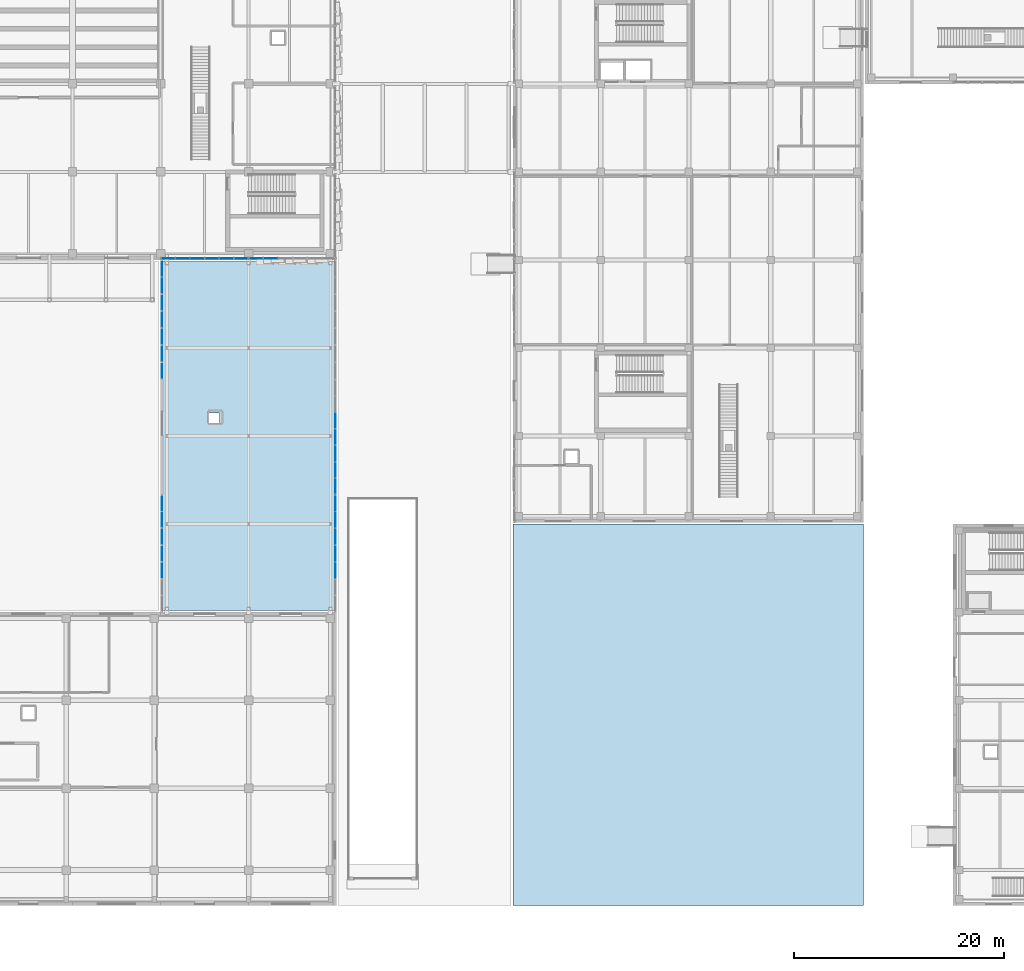
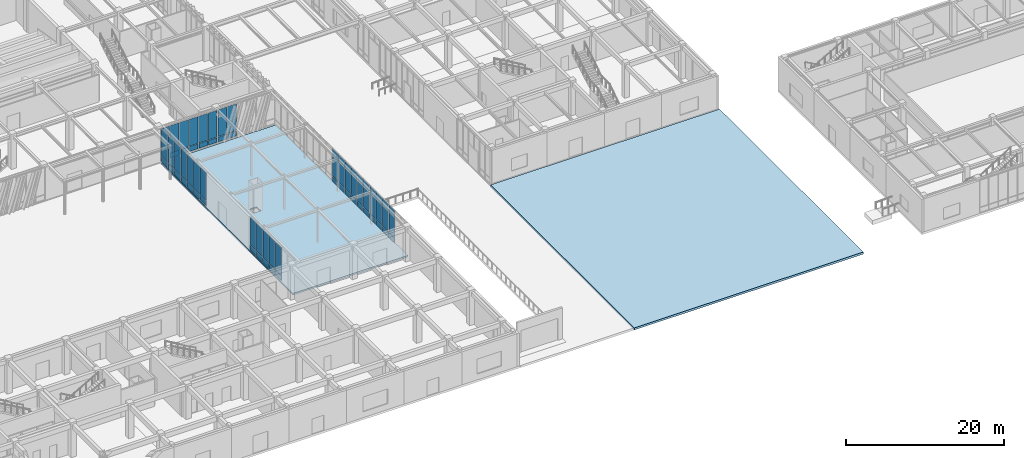
# One storey, part 79 of 122: 60 plates, 2 slabs, 6 elements without a shape of their own.
"""IFC4 building model written with IfcOpenShell, lengths in metres."""

from ifc_helpers import new_model, si_unit, direction, frame, origin, origin_2d, place, context, subcontext, project, spatial, polyline, rectangle, outline, extrude, material, layer, layer_set, type_object, element, aggregate, save


model = new_model("IFC4")

# Units and contexts
model_context = context("Model", 3, precision=1e-05, world=origin(), true_north=direction((0.0, 1.0)))
body_context = subcontext(model_context, "Body", "Model", "MODEL_VIEW")
ifc_project = project(units=[si_unit("LENGTHUNIT", "METRE"), si_unit("AREAUNIT", "SQUARE_METRE"), si_unit("VOLUMEUNIT", "CUBIC_METRE"), si_unit("PLANEANGLEUNIT", "RADIAN"), si_unit("MASSUNIT", "GRAM", prefix="KILO")], contexts=[model_context])

# Site, building, storey
site_placement = place(None, origin())
site = spatial("IfcSite", under=ifc_project, at=site_placement, CompositionType="ELEMENT")
building_placement = place(site_placement, origin())
building = spatial("IfcBuilding", under=site, at=building_placement, Name="Zayran Congress Hotel", CompositionType="ELEMENT")
storey_placement = place(building_placement, origin())
storey = spatial("IfcBuildingStorey", under=building, at=storey_placement, Name="L00", CompositionType="ELEMENT", Elevation=0.0)

# Slabs
ifc_material_1 = material(Name="Concrete C32/40", Category="concrete")
ifc_layer_1 = layer(ifc_material_1, 0.320068359375)
ifc_layer_set_1 = layer_set([ifc_layer_1], Name="Concrete C32/40")
slab_type_1 = type_object("IfcSlabType", Name="SL-PD-320", PredefinedType="FLOOR", material=ifc_layer_set_1)
slab_1_placement = place(storey_placement, frame((0.0, 0.0, -0.320068359375)))
element("IfcSlab", 1, at=slab_1_placement, inside=storey, type_object=slab_type_1, Name="South East Court Grade Paving Slab", PredefinedType="BASESLAB", context=body_context, shape_type="SweptSolid", body=[
    extrude(outline(polyline([(109.199951171875, 6.0), (142.64990234375, 6.0), (142.64990234375, 42.39990234375), (109.199951171875, 42.39990234375), (109.199951171875, 6.0)])), origin(), (0.0, 0.0, 1.0), 0.320068359375),
])
ifc_material_2 = material(Name="Concrete C40/50", Category="concrete")
ifc_layer_2 = layer(ifc_material_2, 0.25)
ifc_layer_set_2 = layer_set([ifc_layer_2], Name="Concrete C40/50")
slab_type_2 = type_object("IfcSlabType", Name="SL-BR-250", PredefinedType="FLOOR", material=ifc_layer_set_2)
slab_2_placement = place(storey_placement, frame((0.0, 0.0, -0.25)))
element("IfcSlab", 2, at=slab_2_placement, inside=storey, type_object=slab_type_2, Name="SLB-BR2-L00", PredefinedType="FLOOR", context=body_context, shape_type="SweptSolid", body=[
    extrude(outline(polyline([(75.60009765625, 34.14990234375), (92.39990234375, 34.14990234375), (92.39990234375, 67.449951171875), (75.60009765625, 67.449951171875), (75.60009765625, 34.14990234375)]), holes=[polyline([(80.199951171875, 52.0), (81.199951171875, 52.0), (81.199951171875, 53.0), (80.199951171875, 53.0), (80.199951171875, 52.0)])]), origin(), (0.0, 0.0, 1.0), 0.25),
])

# Curtain wall, plates
ifc_material_3 = material(Name="Anodised aluminium and low-E insulated glass", Category="aluminium")
ifc_layer_3 = layer(ifc_material_3, 0.179931640625)
ifc_layer_set_3 = layer_set([ifc_layer_3], Name="Anodised aluminium and low-E insulated glass")
curtain_wall_type_1 = type_object("IfcCurtainWallType", Name="CW-V1S-L00-CW-13-8380-5080", PredefinedType="USERDEFINED", material=ifc_layer_set_3)
curtain_wall_1_placement = place(storey_placement, origin())
curtain_wall_1 = element("IfcCurtainWall", 3, at=curtain_wall_1_placement, inside=storey, type_object=curtain_wall_type_1, Name="CW-V1S-L00-8", ObjectType="CURTAIN WALL", PredefinedType="USERDEFINED")
ifc_layer_4 = layer(ifc_material_3, 0.028076171875)
ifc_layer_set_4 = layer_set([ifc_layer_4], Name="Anodised aluminium and low-E insulated glass")
plate_type_1 = type_object("IfcPlateType", Name="CWP-GL-1277-4150", PredefinedType="CURTAIN_PANEL", material=ifc_layer_set_4)
plate_1_placement = place(storey_placement, frame((76.328369140625, 67.75, 0.8701171875), z_axis=(0.0, 0.0, 1.0), x_axis=(1.0, 0.0, 0.0)))
plate_1 = element("IfcPlate", 4, at=plate_1_placement, type_object=plate_type_1, Name="CW-13 Glazed Panel 1", PredefinedType="CURTAIN_PANEL", context=body_context, shape_type="SweptSolid", body=[
    extrude(rectangle(XDim=1.276611328125, YDim=0.028076171875, at=origin_2d()), origin(), (0.0, 0.0, 1.0), 4.14990234375),
])
plate_2_placement = place(storey_placement, frame((77.705078125, 67.75, 0.8701171875), z_axis=(0.0, 0.0, 1.0), x_axis=(1.0, 0.0, 0.0)))
plate_2 = element("IfcPlate", 5, at=plate_2_placement, type_object=plate_type_1, Name="CW-13 Glazed Panel 2", PredefinedType="CURTAIN_PANEL", context=body_context, shape_type="SweptSolid", body=[
    extrude(rectangle(XDim=1.316650390625, YDim=0.028076171875, at=origin_2d()), origin(), (0.0, 0.0, 1.0), 4.14990234375),
])
plate_3_placement = place(storey_placement, frame((79.101806640625, 67.75, 0.8701171875), z_axis=(0.0, 0.0, 1.0), x_axis=(1.0, 0.0, 0.0)))
plate_3 = element("IfcPlate", 6, at=plate_3_placement, type_object=plate_type_1, Name="CW-13 Glazed Panel 3", PredefinedType="CURTAIN_PANEL", context=body_context, shape_type="SweptSolid", body=[
    extrude(rectangle(XDim=1.316650390625, YDim=0.028076171875, at=origin_2d()), origin(), (0.0, 0.0, 1.0), 4.14990234375),
])
plate_4_placement = place(storey_placement, frame((80.498291015625, 67.75, 0.8701171875), z_axis=(0.0, 0.0, 1.0), x_axis=(1.0, 0.0, 0.0)))
plate_4 = element("IfcPlate", 7, at=plate_4_placement, type_object=plate_type_1, Name="CW-13 Glazed Panel 4", PredefinedType="CURTAIN_PANEL", context=body_context, shape_type="SweptSolid", body=[
    extrude(rectangle(XDim=1.316650390625, YDim=0.028076171875, at=origin_2d()), origin(), (0.0, 0.0, 1.0), 4.14990234375),
])
plate_5_placement = place(storey_placement, frame((81.89501953125, 67.75, 0.8701171875), z_axis=(0.0, 0.0, 1.0), x_axis=(1.0, 0.0, 0.0)))
plate_5 = element("IfcPlate", 8, at=plate_5_placement, type_object=plate_type_1, Name="CW-13 Glazed Panel 5", PredefinedType="CURTAIN_PANEL", context=body_context, shape_type="SweptSolid", body=[
    extrude(rectangle(XDim=1.316650390625, YDim=0.028076171875, at=origin_2d()), origin(), (0.0, 0.0, 1.0), 4.14990234375),
])
plate_6_placement = place(storey_placement, frame((83.271728515625, 67.75, 0.8701171875), z_axis=(0.0, 0.0, 1.0), x_axis=(1.0, 0.0, 0.0)))
plate_6 = element("IfcPlate", 9, at=plate_6_placement, type_object=plate_type_1, Name="CW-13 Glazed Panel 6", PredefinedType="CURTAIN_PANEL", context=body_context, shape_type="SweptSolid", body=[
    extrude(rectangle(XDim=1.276611328125, YDim=0.028076171875, at=origin_2d()), origin(), (0.0, 0.0, 1.0), 4.14990234375),
])

ifc_layer_5 = layer(ifc_material_3, 0.179931640625)
ifc_layer_set_5 = layer_set([ifc_layer_5], Name="Anodised aluminium and low-E insulated glass")
curtain_wall_type_2 = type_object("IfcCurtainWallType", Name="CW-V1S-L00-CW-11-8380-5080", PredefinedType="USERDEFINED", material=ifc_layer_set_5)
curtain_wall_2_placement = place(storey_placement, origin())
curtain_wall_2 = element("IfcCurtainWall", 10, at=curtain_wall_2_placement, inside=storey, type_object=curtain_wall_type_2, Name="CW-V1S-L00-9", ObjectType="CURTAIN WALL", PredefinedType="USERDEFINED")
plate_7_placement = place(storey_placement, frame((84.728271484375, 67.75, 0.8701171875), z_axis=(0.0, 0.0, 1.0), x_axis=(1.0, 0.0, 0.0)))
plate_7 = element("IfcPlate", 11, at=plate_7_placement, type_object=plate_type_1, Name="CW-11 Glazed Panel 1", PredefinedType="CURTAIN_PANEL", context=body_context, shape_type="SweptSolid", body=[
    extrude(rectangle(XDim=1.276611328125, YDim=0.028076171875, at=origin_2d()), origin(), (0.0, 0.0, 1.0), 4.14990234375),
])
plate_8_placement = place(storey_placement, frame((86.10498046875, 67.75, 0.8701171875), z_axis=(0.0, 0.0, 1.0), x_axis=(1.0, 0.0, 0.0)))
plate_8 = element("IfcPlate", 12, at=plate_8_placement, type_object=plate_type_1, Name="CW-11 Glazed Panel 2", PredefinedType="CURTAIN_PANEL", context=body_context, shape_type="SweptSolid", body=[
    extrude(rectangle(XDim=1.316650390625, YDim=0.028076171875, at=origin_2d()), origin(), (0.0, 0.0, 1.0), 4.14990234375),
])

# Plate
ifc_material_4 = material(Name="Insulated warm bronze aluminium spandrel panel", Category="aluminium")
ifc_layer_6 = layer(ifc_material_4, 0.06005859375)
ifc_layer_set_6 = layer_set([ifc_layer_6], Name="Insulated warm bronze aluminium spandrel panel")
plate_type_2 = type_object("IfcPlateType", Name="CWP-SP-1277-750", PredefinedType="CURTAIN_PANEL", material=ifc_layer_set_6)
plate_9_placement = place(storey_placement, frame((76.328369140625, 67.75, 0.06005859375), z_axis=(0.0, 0.0, 1.0), x_axis=(1.0, 0.0, 0.0)))
plate_9 = element("IfcPlate", 13, at=plate_9_placement, type_object=plate_type_2, Name="CW-13 Spandrel Panel 1", PredefinedType="CURTAIN_PANEL", context=body_context, shape_type="SweptSolid", body=[
    extrude(rectangle(XDim=1.276611328125, YDim=0.06005859375, at=origin_2d()), origin(), (0.0, 0.0, 1.0), 0.75),
])

plate_10_placement = place(storey_placement, frame((77.705078125, 67.75, 0.06005859375), z_axis=(0.0, 0.0, 1.0), x_axis=(1.0, 0.0, 0.0)))
plate_10 = element("IfcPlate", 14, at=plate_10_placement, type_object=plate_type_2, Name="CW-13 Spandrel Panel 2", PredefinedType="CURTAIN_PANEL", context=body_context, shape_type="SweptSolid", body=[
    extrude(rectangle(XDim=1.316650390625, YDim=0.06005859375, at=origin_2d()), origin(), (0.0, 0.0, 1.0), 0.75),
])

plate_11_placement = place(storey_placement, frame((79.101806640625, 67.75, 0.06005859375), z_axis=(0.0, 0.0, 1.0), x_axis=(1.0, 0.0, 0.0)))
plate_11 = element("IfcPlate", 15, at=plate_11_placement, type_object=plate_type_2, Name="CW-13 Spandrel Panel 3", PredefinedType="CURTAIN_PANEL", context=body_context, shape_type="SweptSolid", body=[
    extrude(rectangle(XDim=1.316650390625, YDim=0.06005859375, at=origin_2d()), origin(), (0.0, 0.0, 1.0), 0.75),
])

plate_12_placement = place(storey_placement, frame((80.498291015625, 67.75, 0.06005859375), z_axis=(0.0, 0.0, 1.0), x_axis=(1.0, 0.0, 0.0)))
plate_12 = element("IfcPlate", 16, at=plate_12_placement, type_object=plate_type_2, Name="CW-13 Spandrel Panel 4", PredefinedType="CURTAIN_PANEL", context=body_context, shape_type="SweptSolid", body=[
    extrude(rectangle(XDim=1.316650390625, YDim=0.06005859375, at=origin_2d()), origin(), (0.0, 0.0, 1.0), 0.75),
])

plate_13_placement = place(storey_placement, frame((81.89501953125, 67.75, 0.06005859375), z_axis=(0.0, 0.0, 1.0), x_axis=(1.0, 0.0, 0.0)))
plate_13 = element("IfcPlate", 17, at=plate_13_placement, type_object=plate_type_2, Name="CW-13 Spandrel Panel 5", PredefinedType="CURTAIN_PANEL", context=body_context, shape_type="SweptSolid", body=[
    extrude(rectangle(XDim=1.316650390625, YDim=0.06005859375, at=origin_2d()), origin(), (0.0, 0.0, 1.0), 0.75),
])

plate_14_placement = place(storey_placement, frame((83.271728515625, 67.75, 0.06005859375), z_axis=(0.0, 0.0, 1.0), x_axis=(1.0, 0.0, 0.0)))
plate_14 = element("IfcPlate", 18, at=plate_14_placement, type_object=plate_type_2, Name="CW-13 Spandrel Panel 6", PredefinedType="CURTAIN_PANEL", context=body_context, shape_type="SweptSolid", body=[
    extrude(rectangle(XDim=1.276611328125, YDim=0.06005859375, at=origin_2d()), origin(), (0.0, 0.0, 1.0), 0.75),
])

aggregate(curtain_wall_1, [plate_9, plate_1, plate_10, plate_2, plate_11, plate_3, plate_12, plate_4, plate_13, plate_5, plate_14, plate_6])

plate_15_placement = place(storey_placement, frame((84.728271484375, 67.75, 0.06005859375), z_axis=(0.0, 0.0, 1.0), x_axis=(1.0, 0.0, 0.0)))
plate_15 = element("IfcPlate", 19, at=plate_15_placement, type_object=plate_type_2, Name="CW-11 Spandrel Panel 1", PredefinedType="CURTAIN_PANEL", context=body_context, shape_type="SweptSolid", body=[
    extrude(rectangle(XDim=1.276611328125, YDim=0.06005859375, at=origin_2d()), origin(), (0.0, 0.0, 1.0), 0.75),
])

plate_16_placement = place(storey_placement, frame((86.10498046875, 67.75, 0.06005859375), z_axis=(0.0, 0.0, 1.0), x_axis=(1.0, 0.0, 0.0)))
plate_16 = element("IfcPlate", 20, at=plate_16_placement, type_object=plate_type_2, Name="CW-11 Spandrel Panel 2", PredefinedType="CURTAIN_PANEL", context=body_context, shape_type="SweptSolid", body=[
    extrude(rectangle(XDim=1.316650390625, YDim=0.06005859375, at=origin_2d()), origin(), (0.0, 0.0, 1.0), 0.75),
])

aggregate(curtain_wall_2, [plate_15, plate_7, plate_16, plate_8])

# Curtain wall, plates
ifc_layer_7 = layer(ifc_material_3, 0.179931640625)
ifc_layer_set_7 = layer_set([ifc_layer_7], Name="Anodised aluminium and low-E insulated glass")
curtain_wall_type_3 = type_object("IfcCurtainWallType", Name="CW-BR2-L00-CW-BR2-11200-5150", PredefinedType="USERDEFINED", material=ifc_layer_set_7)
curtain_wall_3_placement = place(storey_placement, origin())
curtain_wall_3 = element("IfcCurtainWall", 21, at=curtain_wall_3_placement, inside=storey, type_object=curtain_wall_type_3, Name="CW-BR2W-L00-0", ObjectType="CURTAIN WALL", PredefinedType="USERDEFINED")
ifc_layer_8 = layer(ifc_material_3, 0.028076171875)
ifc_layer_set_8 = layer_set([ifc_layer_8], Name="Anodised aluminium and low-E insulated glass")
plate_type_3 = type_object("IfcPlateType", Name="CWP-GL-1480-4220", PredefinedType="CURTAIN_PANEL", material=ifc_layer_set_8)
plate_17_placement = place(storey_placement, frame((75.719970703125, 44.3798828125, 0.8701171875), z_axis=(0.0, 0.0, 1.0), x_axis=(0.0, 1.0, 0.0)))
plate_17 = element("IfcPlate", 22, at=plate_17_placement, type_object=plate_type_3, Name="CW-BR2 Glazed Panel 1", PredefinedType="CURTAIN_PANEL", context=body_context, shape_type="SweptSolid", body=[
    extrude(rectangle(XDim=1.47998046875, YDim=0.028076171875, at=origin_2d()), origin(), (0.0, 0.0, 1.0), 4.219970703125),
])
plate_18_placement = place(storey_placement, frame((75.719970703125, 42.800048828125, 0.8701171875), z_axis=(0.0, 0.0, 1.0), x_axis=(0.0, 1.0, 0.0)))
plate_18 = element("IfcPlate", 23, at=plate_18_placement, type_object=plate_type_3, Name="CW-BR2 Glazed Panel 2", PredefinedType="CURTAIN_PANEL", context=body_context, shape_type="SweptSolid", body=[
    extrude(rectangle(XDim=1.52001953125, YDim=0.028076171875, at=origin_2d()), origin(), (0.0, 0.0, 1.0), 4.219970703125),
])
plate_19_placement = place(storey_placement, frame((75.719970703125, 41.199951171875, 0.8701171875), z_axis=(0.0, 0.0, 1.0), x_axis=(0.0, 1.0, 0.0)))
plate_19 = element("IfcPlate", 24, at=plate_19_placement, type_object=plate_type_3, Name="CW-BR2 Glazed Panel 3", PredefinedType="CURTAIN_PANEL", context=body_context, shape_type="SweptSolid", body=[
    extrude(rectangle(XDim=1.52001953125, YDim=0.028076171875, at=origin_2d()), origin(), (0.0, 0.0, 1.0), 4.219970703125),
])
plate_20_placement = place(storey_placement, frame((75.719970703125, 39.60009765625, 0.8701171875), z_axis=(0.0, 0.0, 1.0), x_axis=(0.0, 1.0, 0.0)))
plate_20 = element("IfcPlate", 25, at=plate_20_placement, type_object=plate_type_3, Name="CW-BR2 Glazed Panel 4", PredefinedType="CURTAIN_PANEL", context=body_context, shape_type="SweptSolid", body=[
    extrude(rectangle(XDim=1.52001953125, YDim=0.028076171875, at=origin_2d()), origin(), (0.0, 0.0, 1.0), 4.219970703125),
])
plate_21_placement = place(storey_placement, frame((75.719970703125, 38.0, 0.8701171875), z_axis=(0.0, 0.0, 1.0), x_axis=(0.0, 1.0, 0.0)))
plate_21 = element("IfcPlate", 26, at=plate_21_placement, type_object=plate_type_3, Name="CW-BR2 Glazed Panel 5", PredefinedType="CURTAIN_PANEL", context=body_context, shape_type="SweptSolid", body=[
    extrude(rectangle(XDim=1.52001953125, YDim=0.028076171875, at=origin_2d()), origin(), (0.0, 0.0, 1.0), 4.219970703125),
])

curtain_wall_4_placement = place(storey_placement, origin())
curtain_wall_4 = element("IfcCurtainWall", 27, at=curtain_wall_4_placement, inside=storey, type_object=curtain_wall_type_3, Name="CW-BR2E-L00-0", ObjectType="CURTAIN WALL", PredefinedType="USERDEFINED")
plate_22_placement = place(storey_placement, frame((92.280029296875, 38.0, 0.8701171875), z_axis=(0.0, 0.0, 1.0), x_axis=(0.0, 1.0, 0.0)))
plate_22 = element("IfcPlate", 28, at=plate_22_placement, type_object=plate_type_3, Name="CW-BR2 Glazed Panel 3", PredefinedType="CURTAIN_PANEL", context=body_context, shape_type="SweptSolid", body=[
    extrude(rectangle(XDim=1.52001953125, YDim=0.028076171875, at=origin_2d()), origin(), (0.0, 0.0, 1.0), 4.219970703125),
])
plate_23_placement = place(storey_placement, frame((92.280029296875, 39.60009765625, 0.8701171875), z_axis=(0.0, 0.0, 1.0), x_axis=(0.0, 1.0, 0.0)))
plate_23 = element("IfcPlate", 29, at=plate_23_placement, type_object=plate_type_3, Name="CW-BR2 Glazed Panel 4", PredefinedType="CURTAIN_PANEL", context=body_context, shape_type="SweptSolid", body=[
    extrude(rectangle(XDim=1.52001953125, YDim=0.028076171875, at=origin_2d()), origin(), (0.0, 0.0, 1.0), 4.219970703125),
])
plate_24_placement = place(storey_placement, frame((92.280029296875, 41.199951171875, 0.8701171875), z_axis=(0.0, 0.0, 1.0), x_axis=(0.0, 1.0, 0.0)))
plate_24 = element("IfcPlate", 30, at=plate_24_placement, type_object=plate_type_3, Name="CW-BR2 Glazed Panel 5", PredefinedType="CURTAIN_PANEL", context=body_context, shape_type="SweptSolid", body=[
    extrude(rectangle(XDim=1.52001953125, YDim=0.028076171875, at=origin_2d()), origin(), (0.0, 0.0, 1.0), 4.219970703125),
])
plate_25_placement = place(storey_placement, frame((92.280029296875, 42.800048828125, 0.8701171875), z_axis=(0.0, 0.0, 1.0), x_axis=(0.0, 1.0, 0.0)))
plate_25 = element("IfcPlate", 31, at=plate_25_placement, type_object=plate_type_3, Name="CW-BR2 Glazed Panel 6", PredefinedType="CURTAIN_PANEL", context=body_context, shape_type="SweptSolid", body=[
    extrude(rectangle(XDim=1.52001953125, YDim=0.028076171875, at=origin_2d()), origin(), (0.0, 0.0, 1.0), 4.219970703125),
])
plate_26_placement = place(storey_placement, frame((92.280029296875, 44.3798828125, 0.8701171875), z_axis=(0.0, 0.0, 1.0), x_axis=(0.0, 1.0, 0.0)))
plate_26 = element("IfcPlate", 32, at=plate_26_placement, type_object=plate_type_3, Name="CW-BR2 Glazed Panel 7", PredefinedType="CURTAIN_PANEL", context=body_context, shape_type="SweptSolid", body=[
    extrude(rectangle(XDim=1.47998046875, YDim=0.028076171875, at=origin_2d()), origin(), (0.0, 0.0, 1.0), 4.219970703125),
])

# Plate
ifc_layer_9 = layer(ifc_material_4, 0.06005859375)
ifc_layer_set_9 = layer_set([ifc_layer_9], Name="Insulated warm bronze aluminium spandrel panel")
plate_type_4 = type_object("IfcPlateType", Name="CWP-SP-1480-750", PredefinedType="CURTAIN_PANEL", material=ifc_layer_set_9)
plate_27_placement = place(storey_placement, frame((75.719970703125, 44.3798828125, 0.06005859375), z_axis=(0.0, 0.0, 1.0), x_axis=(0.0, 1.0, 0.0)))
plate_27 = element("IfcPlate", 33, at=plate_27_placement, type_object=plate_type_4, Name="CW-BR2 Spandrel Panel 1", PredefinedType="CURTAIN_PANEL", context=body_context, shape_type="SweptSolid", body=[
    extrude(rectangle(XDim=1.47998046875, YDim=0.06005859375, at=origin_2d()), origin(), (0.0, 0.0, 1.0), 0.75),
])

plate_28_placement = place(storey_placement, frame((75.719970703125, 42.800048828125, 0.06005859375), z_axis=(0.0, 0.0, 1.0), x_axis=(0.0, 1.0, 0.0)))
plate_28 = element("IfcPlate", 34, at=plate_28_placement, type_object=plate_type_4, Name="CW-BR2 Spandrel Panel 2", PredefinedType="CURTAIN_PANEL", context=body_context, shape_type="SweptSolid", body=[
    extrude(rectangle(XDim=1.52001953125, YDim=0.06005859375, at=origin_2d()), origin(), (0.0, 0.0, 1.0), 0.75),
])

plate_29_placement = place(storey_placement, frame((75.719970703125, 41.199951171875, 0.06005859375), z_axis=(0.0, 0.0, 1.0), x_axis=(0.0, 1.0, 0.0)))
plate_29 = element("IfcPlate", 35, at=plate_29_placement, type_object=plate_type_4, Name="CW-BR2 Spandrel Panel 3", PredefinedType="CURTAIN_PANEL", context=body_context, shape_type="SweptSolid", body=[
    extrude(rectangle(XDim=1.52001953125, YDim=0.06005859375, at=origin_2d()), origin(), (0.0, 0.0, 1.0), 0.75),
])

plate_30_placement = place(storey_placement, frame((75.719970703125, 39.60009765625, 0.06005859375), z_axis=(0.0, 0.0, 1.0), x_axis=(0.0, 1.0, 0.0)))
plate_30 = element("IfcPlate", 36, at=plate_30_placement, type_object=plate_type_4, Name="CW-BR2 Spandrel Panel 4", PredefinedType="CURTAIN_PANEL", context=body_context, shape_type="SweptSolid", body=[
    extrude(rectangle(XDim=1.52001953125, YDim=0.06005859375, at=origin_2d()), origin(), (0.0, 0.0, 1.0), 0.75),
])

plate_31_placement = place(storey_placement, frame((75.719970703125, 38.0, 0.06005859375), z_axis=(0.0, 0.0, 1.0), x_axis=(0.0, 1.0, 0.0)))
plate_31 = element("IfcPlate", 37, at=plate_31_placement, type_object=plate_type_4, Name="CW-BR2 Spandrel Panel 5", PredefinedType="CURTAIN_PANEL", context=body_context, shape_type="SweptSolid", body=[
    extrude(rectangle(XDim=1.52001953125, YDim=0.06005859375, at=origin_2d()), origin(), (0.0, 0.0, 1.0), 0.75),
])

aggregate(curtain_wall_3, [plate_27, plate_17, plate_28, plate_18, plate_29, plate_19, plate_30, plate_20, plate_31, plate_21])

plate_32_placement = place(storey_placement, frame((92.280029296875, 38.0, 0.06005859375), z_axis=(0.0, 0.0, 1.0), x_axis=(0.0, 1.0, 0.0)))
plate_32 = element("IfcPlate", 38, at=plate_32_placement, type_object=plate_type_4, Name="CW-BR2 Spandrel Panel 3", PredefinedType="CURTAIN_PANEL", context=body_context, shape_type="SweptSolid", body=[
    extrude(rectangle(XDim=1.52001953125, YDim=0.06005859375, at=origin_2d()), origin(), (0.0, 0.0, 1.0), 0.75),
])

plate_33_placement = place(storey_placement, frame((92.280029296875, 39.60009765625, 0.06005859375), z_axis=(0.0, 0.0, 1.0), x_axis=(0.0, 1.0, 0.0)))
plate_33 = element("IfcPlate", 39, at=plate_33_placement, type_object=plate_type_4, Name="CW-BR2 Spandrel Panel 4", PredefinedType="CURTAIN_PANEL", context=body_context, shape_type="SweptSolid", body=[
    extrude(rectangle(XDim=1.52001953125, YDim=0.06005859375, at=origin_2d()), origin(), (0.0, 0.0, 1.0), 0.75),
])

plate_34_placement = place(storey_placement, frame((92.280029296875, 41.199951171875, 0.06005859375), z_axis=(0.0, 0.0, 1.0), x_axis=(0.0, 1.0, 0.0)))
plate_34 = element("IfcPlate", 40, at=plate_34_placement, type_object=plate_type_4, Name="CW-BR2 Spandrel Panel 5", PredefinedType="CURTAIN_PANEL", context=body_context, shape_type="SweptSolid", body=[
    extrude(rectangle(XDim=1.52001953125, YDim=0.06005859375, at=origin_2d()), origin(), (0.0, 0.0, 1.0), 0.75),
])

plate_35_placement = place(storey_placement, frame((92.280029296875, 42.800048828125, 0.06005859375), z_axis=(0.0, 0.0, 1.0), x_axis=(0.0, 1.0, 0.0)))
plate_35 = element("IfcPlate", 41, at=plate_35_placement, type_object=plate_type_4, Name="CW-BR2 Spandrel Panel 6", PredefinedType="CURTAIN_PANEL", context=body_context, shape_type="SweptSolid", body=[
    extrude(rectangle(XDim=1.52001953125, YDim=0.06005859375, at=origin_2d()), origin(), (0.0, 0.0, 1.0), 0.75),
])

plate_36_placement = place(storey_placement, frame((92.280029296875, 44.3798828125, 0.06005859375), z_axis=(0.0, 0.0, 1.0), x_axis=(0.0, 1.0, 0.0)))
plate_36 = element("IfcPlate", 42, at=plate_36_placement, type_object=plate_type_4, Name="CW-BR2 Spandrel Panel 7", PredefinedType="CURTAIN_PANEL", context=body_context, shape_type="SweptSolid", body=[
    extrude(rectangle(XDim=1.47998046875, YDim=0.06005859375, at=origin_2d()), origin(), (0.0, 0.0, 1.0), 0.75),
])

aggregate(curtain_wall_4, [plate_32, plate_22, plate_33, plate_23, plate_34, plate_24, plate_35, plate_25, plate_36, plate_26])

# Curtain wall, plates
ifc_layer_10 = layer(ifc_material_3, 0.179931640625)
ifc_layer_set_10 = layer_set([ifc_layer_10], Name="Anodised aluminium and low-E insulated glass")
curtain_wall_type_4 = type_object("IfcCurtainWallType", Name="CW-BR2-L00-CW-BR2-11000-5150", PredefinedType="USERDEFINED", material=ifc_layer_set_10)
curtain_wall_5_placement = place(storey_placement, origin())
curtain_wall_5 = element("IfcCurtainWall", 43, at=curtain_wall_5_placement, inside=storey, type_object=curtain_wall_type_4, Name="CW-BR2E-L00-1", ObjectType="CURTAIN WALL", PredefinedType="USERDEFINED")
ifc_layer_11 = layer(ifc_material_3, 0.028076171875)
ifc_layer_set_11 = layer_set([ifc_layer_11], Name="Anodised aluminium and low-E insulated glass")
plate_type_5 = type_object("IfcPlateType", Name="CWP-GL-1451-4220", PredefinedType="CURTAIN_PANEL", material=ifc_layer_set_11)
plate_37_placement = place(storey_placement, frame((92.280029296875, 46.005615234375, 0.8701171875), z_axis=(0.0, 0.0, 1.0), x_axis=(0.0, 1.0, 0.0)))
plate_37 = element("IfcPlate", 44, at=plate_37_placement, type_object=plate_type_5, Name="CW-BR2 Glazed Panel 1", PredefinedType="CURTAIN_PANEL", context=body_context, shape_type="SweptSolid", body=[
    extrude(rectangle(XDim=1.451416015625, YDim=0.028076171875, at=origin_2d()), origin(), (0.0, 0.0, 1.0), 4.219970703125),
])
plate_38_placement = place(storey_placement, frame((92.280029296875, 47.55712890625, 0.8701171875), z_axis=(0.0, 0.0, 1.0), x_axis=(0.0, 1.0, 0.0)))
plate_38 = element("IfcPlate", 45, at=plate_38_placement, type_object=plate_type_5, Name="CW-BR2 Glazed Panel 2", PredefinedType="CURTAIN_PANEL", context=body_context, shape_type="SweptSolid", body=[
    extrude(rectangle(XDim=1.491455078125, YDim=0.028076171875, at=origin_2d()), origin(), (0.0, 0.0, 1.0), 4.219970703125),
])
plate_39_placement = place(storey_placement, frame((92.280029296875, 49.128662109375, 0.8701171875), z_axis=(0.0, 0.0, 1.0), x_axis=(0.0, 1.0, 0.0)))
plate_39 = element("IfcPlate", 46, at=plate_39_placement, type_object=plate_type_5, Name="CW-BR2 Glazed Panel 3", PredefinedType="CURTAIN_PANEL", context=body_context, shape_type="SweptSolid", body=[
    extrude(rectangle(XDim=1.491455078125, YDim=0.028076171875, at=origin_2d()), origin(), (0.0, 0.0, 1.0), 4.219970703125),
])
plate_40_placement = place(storey_placement, frame((92.280029296875, 50.699951171875, 0.8701171875), z_axis=(0.0, 0.0, 1.0), x_axis=(0.0, 1.0, 0.0)))
plate_40 = element("IfcPlate", 47, at=plate_40_placement, type_object=plate_type_5, Name="CW-BR2 Glazed Panel 4", PredefinedType="CURTAIN_PANEL", context=body_context, shape_type="SweptSolid", body=[
    extrude(rectangle(XDim=1.491455078125, YDim=0.028076171875, at=origin_2d()), origin(), (0.0, 0.0, 1.0), 4.219970703125),
])
plate_41_placement = place(storey_placement, frame((92.280029296875, 52.271484375, 0.8701171875), z_axis=(0.0, 0.0, 1.0), x_axis=(0.0, 1.0, 0.0)))
plate_41 = element("IfcPlate", 48, at=plate_41_placement, type_object=plate_type_5, Name="CW-BR2 Glazed Panel 5", PredefinedType="CURTAIN_PANEL", context=body_context, shape_type="SweptSolid", body=[
    extrude(rectangle(XDim=1.491455078125, YDim=0.028076171875, at=origin_2d()), origin(), (0.0, 0.0, 1.0), 4.219970703125),
])
ifc_layer_12 = layer(ifc_material_4, 0.06005859375)
ifc_layer_set_12 = layer_set([ifc_layer_12], Name="Insulated warm bronze aluminium spandrel panel")
plate_type_6 = type_object("IfcPlateType", Name="CWP-SP-1451-750", PredefinedType="CURTAIN_PANEL", material=ifc_layer_set_12)
plate_42_placement = place(storey_placement, frame((92.280029296875, 46.005615234375, 0.06005859375), z_axis=(0.0, 0.0, 1.0), x_axis=(0.0, 1.0, 0.0)))
plate_42 = element("IfcPlate", 49, at=plate_42_placement, type_object=plate_type_6, Name="CW-BR2 Spandrel Panel 1", PredefinedType="CURTAIN_PANEL", context=body_context, shape_type="SweptSolid", body=[
    extrude(rectangle(XDim=1.451416015625, YDim=0.06005859375, at=origin_2d()), origin(), (0.0, 0.0, 1.0), 0.75),
])
plate_43_placement = place(storey_placement, frame((92.280029296875, 47.55712890625, 0.06005859375), z_axis=(0.0, 0.0, 1.0), x_axis=(0.0, 1.0, 0.0)))
plate_43 = element("IfcPlate", 50, at=plate_43_placement, type_object=plate_type_6, Name="CW-BR2 Spandrel Panel 2", PredefinedType="CURTAIN_PANEL", context=body_context, shape_type="SweptSolid", body=[
    extrude(rectangle(XDim=1.491455078125, YDim=0.06005859375, at=origin_2d()), origin(), (0.0, 0.0, 1.0), 0.75),
])
plate_44_placement = place(storey_placement, frame((92.280029296875, 49.128662109375, 0.06005859375), z_axis=(0.0, 0.0, 1.0), x_axis=(0.0, 1.0, 0.0)))
plate_44 = element("IfcPlate", 51, at=plate_44_placement, type_object=plate_type_6, Name="CW-BR2 Spandrel Panel 3", PredefinedType="CURTAIN_PANEL", context=body_context, shape_type="SweptSolid", body=[
    extrude(rectangle(XDim=1.491455078125, YDim=0.06005859375, at=origin_2d()), origin(), (0.0, 0.0, 1.0), 0.75),
])
plate_45_placement = place(storey_placement, frame((92.280029296875, 50.699951171875, 0.06005859375), z_axis=(0.0, 0.0, 1.0), x_axis=(0.0, 1.0, 0.0)))
plate_45 = element("IfcPlate", 52, at=plate_45_placement, type_object=plate_type_6, Name="CW-BR2 Spandrel Panel 4", PredefinedType="CURTAIN_PANEL", context=body_context, shape_type="SweptSolid", body=[
    extrude(rectangle(XDim=1.491455078125, YDim=0.06005859375, at=origin_2d()), origin(), (0.0, 0.0, 1.0), 0.75),
])
plate_46_placement = place(storey_placement, frame((92.280029296875, 52.271484375, 0.06005859375), z_axis=(0.0, 0.0, 1.0), x_axis=(0.0, 1.0, 0.0)))
plate_46 = element("IfcPlate", 53, at=plate_46_placement, type_object=plate_type_6, Name="CW-BR2 Spandrel Panel 5", PredefinedType="CURTAIN_PANEL", context=body_context, shape_type="SweptSolid", body=[
    extrude(rectangle(XDim=1.491455078125, YDim=0.06005859375, at=origin_2d()), origin(), (0.0, 0.0, 1.0), 0.75),
])
aggregate(curtain_wall_5, [plate_42, plate_37, plate_43, plate_38, plate_44, plate_39, plate_45, plate_40, plate_46, plate_41])

ifc_layer_13 = layer(ifc_material_3, 0.179931640625)
ifc_layer_set_13 = layer_set([ifc_layer_13], Name="Anodised aluminium and low-E insulated glass")
curtain_wall_type_5 = type_object("IfcCurtainWallType", Name="CW-BR2-L00-CW-BR2-11400-5150", PredefinedType="USERDEFINED", material=ifc_layer_set_13)
curtain_wall_6_placement = place(storey_placement, origin())
curtain_wall_6 = element("IfcCurtainWall", 54, at=curtain_wall_6_placement, inside=storey, type_object=curtain_wall_type_5, Name="CW-BR2W-L00-2", ObjectType="CURTAIN WALL", PredefinedType="USERDEFINED")
ifc_layer_14 = layer(ifc_material_3, 0.028076171875)
ifc_layer_set_14 = layer_set([ifc_layer_14], Name="Anodised aluminium and low-E insulated glass")
plate_type_7 = type_object("IfcPlateType", Name="CWP-GL-1509-4220", PredefinedType="CURTAIN_PANEL", material=ifc_layer_set_14)
plate_47_placement = place(storey_placement, frame((75.719970703125, 66.765625, 0.8701171875), z_axis=(0.0, 0.0, 1.0), x_axis=(0.0, 1.0, 0.0)))
plate_47 = element("IfcPlate", 55, at=plate_47_placement, type_object=plate_type_7, Name="CW-BR2 Glazed Panel 1", PredefinedType="CURTAIN_PANEL", context=body_context, shape_type="SweptSolid", body=[
    extrude(rectangle(XDim=1.508544921875, YDim=0.028076171875, at=origin_2d()), origin(), (0.0, 0.0, 1.0), 4.219970703125),
])
plate_48_placement = place(storey_placement, frame((75.719970703125, 65.156982421875, 0.8701171875), z_axis=(0.0, 0.0, 1.0), x_axis=(0.0, 1.0, 0.0)))
plate_48 = element("IfcPlate", 56, at=plate_48_placement, type_object=plate_type_7, Name="CW-BR2 Glazed Panel 2", PredefinedType="CURTAIN_PANEL", context=body_context, shape_type="SweptSolid", body=[
    extrude(rectangle(XDim=1.548583984375, YDim=0.028076171875, at=origin_2d()), origin(), (0.0, 0.0, 1.0), 4.219970703125),
])
plate_49_placement = place(storey_placement, frame((75.719970703125, 63.528564453125, 0.8701171875), z_axis=(0.0, 0.0, 1.0), x_axis=(0.0, 1.0, 0.0)))
plate_49 = element("IfcPlate", 57, at=plate_49_placement, type_object=plate_type_7, Name="CW-BR2 Glazed Panel 3", PredefinedType="CURTAIN_PANEL", context=body_context, shape_type="SweptSolid", body=[
    extrude(rectangle(XDim=1.548583984375, YDim=0.028076171875, at=origin_2d()), origin(), (0.0, 0.0, 1.0), 4.219970703125),
])
plate_50_placement = place(storey_placement, frame((75.719970703125, 61.89990234375, 0.8701171875), z_axis=(0.0, 0.0, 1.0), x_axis=(0.0, 1.0, 0.0)))
plate_50 = element("IfcPlate", 58, at=plate_50_placement, type_object=plate_type_7, Name="CW-BR2 Glazed Panel 4", PredefinedType="CURTAIN_PANEL", context=body_context, shape_type="SweptSolid", body=[
    extrude(rectangle(XDim=1.548583984375, YDim=0.028076171875, at=origin_2d()), origin(), (0.0, 0.0, 1.0), 4.219970703125),
])
plate_51_placement = place(storey_placement, frame((75.719970703125, 60.271484375, 0.8701171875), z_axis=(0.0, 0.0, 1.0), x_axis=(0.0, 1.0, 0.0)))
plate_51 = element("IfcPlate", 59, at=plate_51_placement, type_object=plate_type_7, Name="CW-BR2 Glazed Panel 5", PredefinedType="CURTAIN_PANEL", context=body_context, shape_type="SweptSolid", body=[
    extrude(rectangle(XDim=1.548583984375, YDim=0.028076171875, at=origin_2d()), origin(), (0.0, 0.0, 1.0), 4.219970703125),
])
plate_52_placement = place(storey_placement, frame((75.719970703125, 58.642822265625, 0.8701171875), z_axis=(0.0, 0.0, 1.0), x_axis=(0.0, 1.0, 0.0)))
plate_52 = element("IfcPlate", 60, at=plate_52_placement, type_object=plate_type_7, Name="CW-BR2 Glazed Panel 6", PredefinedType="CURTAIN_PANEL", context=body_context, shape_type="SweptSolid", body=[
    extrude(rectangle(XDim=1.548583984375, YDim=0.028076171875, at=origin_2d()), origin(), (0.0, 0.0, 1.0), 4.219970703125),
])
plate_53_placement = place(storey_placement, frame((75.719970703125, 57.0341796875, 0.8701171875), z_axis=(0.0, 0.0, 1.0), x_axis=(0.0, 1.0, 0.0)))
plate_53 = element("IfcPlate", 61, at=plate_53_placement, type_object=plate_type_7, Name="CW-BR2 Glazed Panel 7", PredefinedType="CURTAIN_PANEL", context=body_context, shape_type="SweptSolid", body=[
    extrude(rectangle(XDim=1.508544921875, YDim=0.028076171875, at=origin_2d()), origin(), (0.0, 0.0, 1.0), 4.219970703125),
])
ifc_layer_15 = layer(ifc_material_4, 0.06005859375)
ifc_layer_set_15 = layer_set([ifc_layer_15], Name="Insulated warm bronze aluminium spandrel panel")
plate_type_8 = type_object("IfcPlateType", Name="CWP-SP-1509-750", PredefinedType="CURTAIN_PANEL", material=ifc_layer_set_15)
plate_54_placement = place(storey_placement, frame((75.719970703125, 66.765625, 0.06005859375), z_axis=(0.0, 0.0, 1.0), x_axis=(0.0, 1.0, 0.0)))
plate_54 = element("IfcPlate", 62, at=plate_54_placement, type_object=plate_type_8, Name="CW-BR2 Spandrel Panel 1", PredefinedType="CURTAIN_PANEL", context=body_context, shape_type="SweptSolid", body=[
    extrude(rectangle(XDim=1.508544921875, YDim=0.06005859375, at=origin_2d()), origin(), (0.0, 0.0, 1.0), 0.75),
])
plate_55_placement = place(storey_placement, frame((75.719970703125, 65.156982421875, 0.06005859375), z_axis=(0.0, 0.0, 1.0), x_axis=(0.0, 1.0, 0.0)))
plate_55 = element("IfcPlate", 63, at=plate_55_placement, type_object=plate_type_8, Name="CW-BR2 Spandrel Panel 2", PredefinedType="CURTAIN_PANEL", context=body_context, shape_type="SweptSolid", body=[
    extrude(rectangle(XDim=1.548583984375, YDim=0.06005859375, at=origin_2d()), origin(), (0.0, 0.0, 1.0), 0.75),
])
plate_56_placement = place(storey_placement, frame((75.719970703125, 63.528564453125, 0.06005859375), z_axis=(0.0, 0.0, 1.0), x_axis=(0.0, 1.0, 0.0)))
plate_56 = element("IfcPlate", 64, at=plate_56_placement, type_object=plate_type_8, Name="CW-BR2 Spandrel Panel 3", PredefinedType="CURTAIN_PANEL", context=body_context, shape_type="SweptSolid", body=[
    extrude(rectangle(XDim=1.548583984375, YDim=0.06005859375, at=origin_2d()), origin(), (0.0, 0.0, 1.0), 0.75),
])
plate_57_placement = place(storey_placement, frame((75.719970703125, 61.89990234375, 0.06005859375), z_axis=(0.0, 0.0, 1.0), x_axis=(0.0, 1.0, 0.0)))
plate_57 = element("IfcPlate", 65, at=plate_57_placement, type_object=plate_type_8, Name="CW-BR2 Spandrel Panel 4", PredefinedType="CURTAIN_PANEL", context=body_context, shape_type="SweptSolid", body=[
    extrude(rectangle(XDim=1.548583984375, YDim=0.06005859375, at=origin_2d()), origin(), (0.0, 0.0, 1.0), 0.75),
])
plate_58_placement = place(storey_placement, frame((75.719970703125, 60.271484375, 0.06005859375), z_axis=(0.0, 0.0, 1.0), x_axis=(0.0, 1.0, 0.0)))
plate_58 = element("IfcPlate", 66, at=plate_58_placement, type_object=plate_type_8, Name="CW-BR2 Spandrel Panel 5", PredefinedType="CURTAIN_PANEL", context=body_context, shape_type="SweptSolid", body=[
    extrude(rectangle(XDim=1.548583984375, YDim=0.06005859375, at=origin_2d()), origin(), (0.0, 0.0, 1.0), 0.75),
])
plate_59_placement = place(storey_placement, frame((75.719970703125, 58.642822265625, 0.06005859375), z_axis=(0.0, 0.0, 1.0), x_axis=(0.0, 1.0, 0.0)))
plate_59 = element("IfcPlate", 67, at=plate_59_placement, type_object=plate_type_8, Name="CW-BR2 Spandrel Panel 6", PredefinedType="CURTAIN_PANEL", context=body_context, shape_type="SweptSolid", body=[
    extrude(rectangle(XDim=1.548583984375, YDim=0.06005859375, at=origin_2d()), origin(), (0.0, 0.0, 1.0), 0.75),
])
plate_60_placement = place(storey_placement, frame((75.719970703125, 57.0341796875, 0.06005859375), z_axis=(0.0, 0.0, 1.0), x_axis=(0.0, 1.0, 0.0)))
plate_60 = element("IfcPlate", 68, at=plate_60_placement, type_object=plate_type_8, Name="CW-BR2 Spandrel Panel 7", PredefinedType="CURTAIN_PANEL", context=body_context, shape_type="SweptSolid", body=[
    extrude(rectangle(XDim=1.508544921875, YDim=0.06005859375, at=origin_2d()), origin(), (0.0, 0.0, 1.0), 0.75),
])
aggregate(curtain_wall_6, [plate_54, plate_47, plate_55, plate_48, plate_56, plate_49, plate_57, plate_50, plate_58, plate_51, plate_59, plate_52, plate_60, plate_53])

save(model, "model.ifc")
